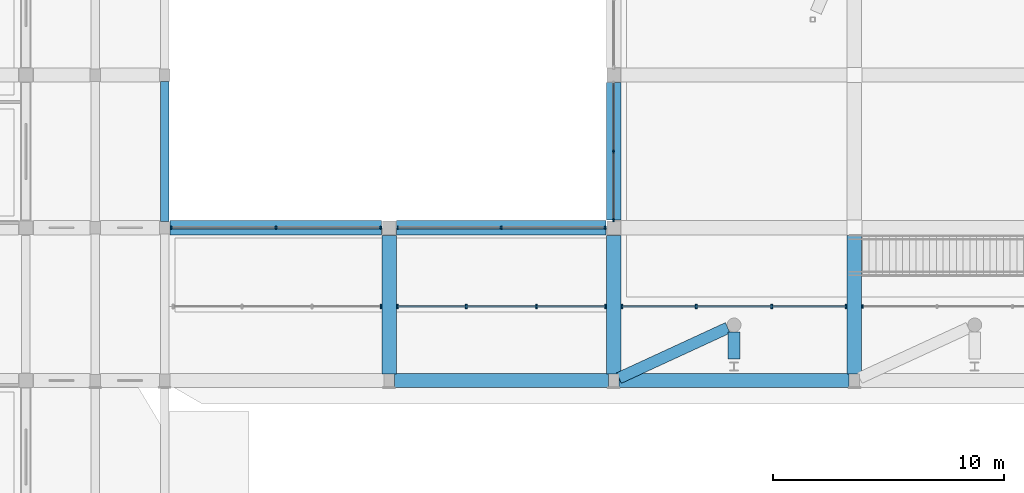
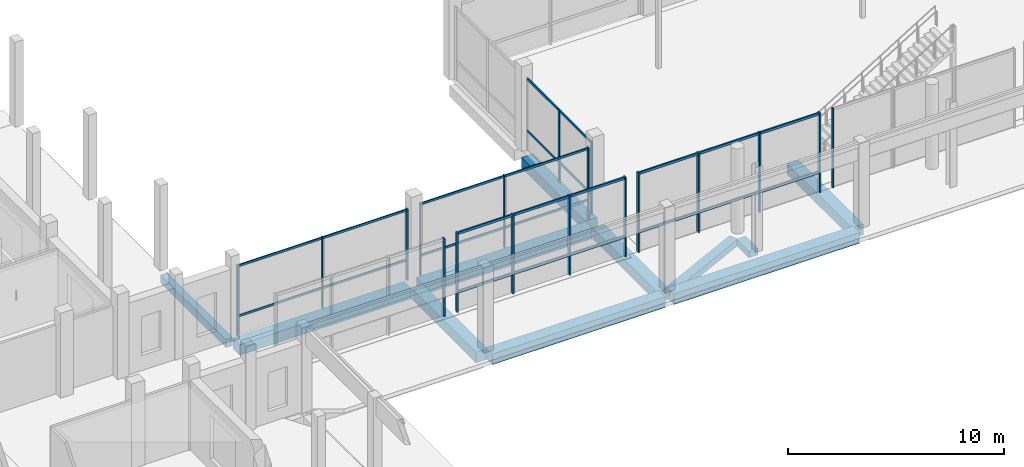
# One storey, part 24 of 88: 28 members, 11 beams, 7 elements without a shape of their own.
"""IFC4 building model written with IfcOpenShell, lengths in metres."""

import ifcopenshell
import ifcopenshell.guid

model = None  # the IFC model being written
_history = None  # IfcOwnerHistory: only IFC2X3 demands one
_inside = {}  # id of a spatial element -> (the spatial element, [elements in it])
_under = {}  # id of a project, library or spatial element -> (it, [spatial elements below it])
_declared = {}  # id of a project -> (the project, [libraries it declares])
_typed = {}  # id of a type object -> (the type object, [elements of that type])
_made_of = {}  # id of a material, layer set ... -> (it, [elements and type objects made of it])


def new_model(schema):
    """Start an empty IFC model of exactly this schema.

    Asked for "IFC4X3", IfcOpenShell would pick the latest addendum, in which some entities
    have other attributes; the version numbers below select the first issue.
    IFC2X3 requires an IfcOwnerHistory on every rooted entity: one is made here for all.
    """
    global model, _history
    if schema == "IFC4X3":
        model = ifcopenshell.file(schema_version=(4, 3, 0, 0))
    else:
        model = ifcopenshell.file(schema=schema)
    _inside.clear()
    _under.clear()
    _declared.clear()
    _typed.clear()
    _made_of.clear()
    _history = None
    if model.schema == "IFC2X3":
        org = make("IfcOrganization", Name="unknown")
        user = make(
            "IfcPersonAndOrganization",
            ThePerson=make("IfcPerson", FamilyName="unknown"),
            TheOrganization=org,
        )
        app = make(
            "IfcApplication",
            ApplicationDeveloper=org,
            Version="unknown",
            ApplicationFullName="unknown",
            ApplicationIdentifier="unknown",
        )
        _history = make(
            "IfcOwnerHistory",
            OwningUser=user,
            OwningApplication=app,
            ChangeAction="ADDED",
            CreationDate=0,
        )
    return model


def make(cls, **values):
    """One entity of the class cls with the attributes given. An attribute that is None is left unset."""
    return model.create_entity(
        cls, **{name: value for name, value in values.items() if value is not None}
    )


def rooted(cls, **values):
    """An entity with a GlobalId (a new one), such as an element, a storey or a relation."""
    return make(cls, GlobalId=ifcopenshell.guid.new(), OwnerHistory=_history, **values)


def si_unit(unit_type, name, prefix=None):
    """IfcSIUnit, for example si_unit("LENGTHUNIT", "METRE", prefix="MILLI")."""
    return make("IfcSIUnit", UnitType=unit_type, Prefix=prefix, Name=name)


def derived_unit(unit_type, elements):
    """IfcDerivedUnit: a product of units, each with its exponent."""
    return make(
        "IfcDerivedUnit",
        Elements=[
            make("IfcDerivedUnitElement", Unit=unit, Exponent=power)
            for unit, power in elements
        ],
        UnitType=unit_type,
    )


def assignment(units):
    """IfcUnitAssignment: the units of a project."""
    return None if units is None else make("IfcUnitAssignment", Units=units)


def point(xyz):
    """IfcCartesianPoint."""
    return None if xyz is None else make("IfcCartesianPoint", Coordinates=xyz)


def direction(xyz):
    """IfcDirection."""
    return None if xyz is None else make("IfcDirection", DirectionRatios=xyz)


def frame(location, z_axis=None, x_axis=None):
    """IfcAxis2Placement3D, a coordinate frame: its origin and axes. An axis left out is left unset."""
    return make(
        "IfcAxis2Placement3D",
        Location=point(location),
        Axis=direction(z_axis),
        RefDirection=direction(x_axis),
    )


def frame_2d(location, x_axis=None):
    """IfcAxis2Placement2D, a coordinate frame in the plane: its origin and x axis."""
    return make(
        "IfcAxis2Placement2D", Location=point(location), RefDirection=direction(x_axis)
    )


def origin():
    """The frame at (0, 0, 0) with its axes left unset."""
    return frame((0.0, 0.0, 0.0))


def origin_2d():
    """The frame at (0, 0) in the plane with its x axis left unset."""
    return frame_2d((0.0, 0.0))


def place(relative_to, where):
    """IfcLocalPlacement: puts the frame where relative to a parent placement (None: the world)."""
    return make(
        "IfcLocalPlacement", PlacementRelTo=relative_to, RelativePlacement=where
    )


def context(
    kind, dimensions, precision=None, world=None, true_north=None, identifier=None
):
    """IfcGeometricRepresentationContext, for example the 3D "Model" context."""
    return make(
        "IfcGeometricRepresentationContext",
        ContextIdentifier=identifier,
        ContextType=kind,
        CoordinateSpaceDimension=dimensions,
        Precision=precision,
        WorldCoordinateSystem=world,
        TrueNorth=true_north,
    )


def subcontext(parent, identifier, kind, view, scale=None):
    """IfcGeometricRepresentationSubContext, for example "Body" below "Model"."""
    return make(
        "IfcGeometricRepresentationSubContext",
        ContextIdentifier=identifier,
        ContextType=kind,
        ParentContext=parent,
        TargetScale=scale,
        TargetView=view,
    )


def project(units=None, contexts=None):
    """IfcProject with its units and contexts."""
    return rooted(
        "IfcProject",
        Name="project",
        RepresentationContexts=contexts,
        UnitsInContext=assignment(units),
    )


def spatial(cls, under=None, at=None, **own):
    """A site, building, storey or space (cls), placed at a placement, below another one or the project."""
    s = rooted(cls, ObjectPlacement=at, **own)
    if under is not None:
        _under.setdefault(under.id(), (under, []))[1].append(s)
    return s


def profile(cls, at=None, kind="AREA", **sizes):
    """A parametric profile (cls). Its sizes go by their IFC names, for example OverallWidth=200.0."""
    return make(cls, ProfileType=kind, Position=at, **sizes)


def rectangle(**sizes):
    """IfcRectangleProfileDef."""
    return profile("IfcRectangleProfileDef", **sizes)


def extrude(swept, where, along, depth):
    """IfcExtrudedAreaSolid: the profile swept, set in the frame where, extruded along a direction by depth."""
    return make(
        "IfcExtrudedAreaSolid",
        SweptArea=swept,
        Position=where,
        ExtrudedDirection=direction(along),
        Depth=depth,
    )


def shape(context_of_items, identifier, shape_type, items):
    """IfcShapeRepresentation: the items that make up one representation, for example the "Body"."""
    return make(
        "IfcShapeRepresentation",
        ContextOfItems=context_of_items,
        RepresentationIdentifier=identifier,
        RepresentationType=shape_type,
        Items=items,
    )


def material(Name=None, Category=None):
    """IfcMaterial."""
    return make("IfcMaterial", Name=Name, Category=Category)


def material_profile(
    of_material, cross_section, Name=None, Category=None, Priority=None
):
    """IfcMaterialProfile: a cross section and its material."""
    return make(
        "IfcMaterialProfile",
        Name=Name,
        Material=of_material,
        Profile=cross_section,
        Priority=Priority,
        Category=Category,
    )


def profile_set(profiles, Name=None, composite=None):
    """IfcMaterialProfileSet."""
    return make(
        "IfcMaterialProfileSet",
        Name=Name,
        MaterialProfiles=profiles,
        CompositeProfile=composite,
    )


def made_of(thing, what):
    """Note that an element or type object is made of a material, layer set ...; save() writes the relation."""
    if what is not None:
        _made_of.setdefault(what.id(), (what, []))[1].append(thing)
    return thing


def type_object(cls, material=None, **own):
    """A type object (cls), such as IfcWallType, which elements share."""
    return made_of(rooted(cls, **own), material)


def element(
    cls,
    number,
    at=None,
    inside=None,
    cuts=None,
    type_object=None,
    material=None,
    context=None,
    identifier="Body",
    shape_type=None,
    held_by="IfcProductDefinitionShape",
    body=None,
    shapes=None,
    **own,
):
    """One element of the class cls, such as IfcWall. Its Tag is "e" and its number.

    at: its placement. inside: the storey or other place that contains it. cuts: it is an
    opening in that element (IfcRelVoidsElement). A single representation is given by context,
    identifier, shape_type and body (its items); several are given by shapes. held_by: the class
    of the entity that holds the representations. save() writes the other relations.
    """
    e = rooted(cls, Tag="e%d" % number, ObjectPlacement=at, **own)
    if body is not None:
        shapes = [shape(context, identifier, shape_type, body)]
    if shapes is not None:
        e.Representation = make(held_by, Representations=shapes)
    if inside is not None:
        _inside.setdefault(inside.id(), (inside, []))[1].append(e)
    if cuts is not None:
        rooted(
            "IfcRelVoidsElement", RelatingBuildingElement=cuts, RelatedOpeningElement=e
        )
    if type_object is not None:
        _typed.setdefault(type_object.id(), (type_object, []))[1].append(e)
    return made_of(e, material)


def aggregate(whole, parts):
    """IfcRelAggregates: a whole, such as a stair, and the parts it consists of."""
    return rooted("IfcRelAggregates", RelatingObject=whole, RelatedObjects=parts)


def save(model, path):
    """Write the relations noted so far, then the file.

    IfcRelAggregates (storeys below a building ...), IfcRelContainedInSpatialStructure (elements
    in a storey), IfcRelDefinesByType, IfcRelAssociatesMaterial and IfcRelDeclares: one each for
    every whole, place, type object, material and project.
    """
    for whole, parts in _under.values():
        aggregate(whole, parts)
    for where, things in _inside.values():
        rooted(
            "IfcRelContainedInSpatialStructure",
            RelatedElements=things,
            RelatingStructure=where,
        )
    for kind, things in _typed.values():
        rooted("IfcRelDefinesByType", RelatedObjects=things, RelatingType=kind)
    for what, things in _made_of.values():
        rooted("IfcRelAssociatesMaterial", RelatedObjects=things, RelatingMaterial=what)
    for by, libraries in _declared.values():
        rooted("IfcRelDeclares", RelatingContext=by, RelatedDefinitions=libraries)
    model.write(path)


model = new_model("IFC4")

# Units and contexts
model_context = context("Model", 3, precision=1e-05, world=origin(), true_north=direction((0.0, 1.0)))
body_context = subcontext(model_context, "Body", "Model", "MODEL_VIEW")
ifc_project = project(units=[si_unit("LENGTHUNIT", "METRE"), si_unit("AREAUNIT", "SQUARE_METRE"), si_unit("VOLUMEUNIT", "CUBIC_METRE"), si_unit("PLANEANGLEUNIT", "RADIAN"), si_unit("MASSUNIT", "GRAM", prefix="KILO"), derived_unit("THERMALTRANSMITTANCEUNIT", [(si_unit("POWERUNIT", "WATT"), 1), (si_unit("LENGTHUNIT", "METRE"), -2), (si_unit("THERMODYNAMICTEMPERATUREUNIT", "KELVIN"), -1)])], contexts=[model_context])

# Site, building, storey
site_placement = place(None, origin())
site = spatial("IfcSite", under=ifc_project, at=site_placement, CompositionType="ELEMENT")
building_placement = place(site_placement, origin())
building = spatial("IfcBuilding", under=site, at=building_placement, Name="Braskholm Square Health Centre", CompositionType="ELEMENT")
storey_placement = place(building_placement, origin())
storey = spatial("IfcBuildingStorey", under=building, at=storey_placement, Name="L01", CompositionType="ELEMENT", Elevation=0.0)

# Curtain wall, members
ifc_material_1 = material(Name="Low-E triple insulating glass (VLT 0.64)", Category="glass")
curtain_wall_type_1 = type_object("IfcCurtainWallType", Name="UnitisedCurtainWall6200x4100", PredefinedType="NOTDEFINED", material=ifc_material_1)
curtain_wall_1_placement = place(storey_placement, origin())
curtain_wall_1 = element("IfcCurtainWall", 1, at=curtain_wall_1_placement, inside=storey, type_object=curtain_wall_type_1, Name="Portal North L01 unitised curtain wall CW-L01-0174", PredefinedType="NOTDEFINED")
ifc_material_2 = material(Name="Architectural bronze anodised aluminium", Category="aluminium")
ifc_material_profile_1 = material_profile(ifc_material_2, rectangle(XDim=0.06494140625, YDim=0.14990234375, at=origin_2d()), Name="ALU-65X150")
ifc_profile_set_1 = profile_set([ifc_material_profile_1], Name="Architectural bronze anodised aluminium")
member_type_1 = type_object("IfcMemberType", Name="CurtainWallMullion65x150", PredefinedType="MULLION", material=ifc_profile_set_1)
member_1_placement = place(storey_placement, frame((37.54296875, 93.800048828125, 0.0), z_axis=(0.0, 0.0, 1.0), x_axis=(1.0, 0.0, 0.0)))
member_1 = element("IfcMember", 2, at=member_1_placement, type_object=member_type_1, Name="CW-L01-0174 vertical mullion 1", PredefinedType="MULLION", context=body_context, shape_type="SweptSolid", body=[
    extrude(rectangle(XDim=0.06494140625, YDim=0.14990234375, at=origin_2d()), origin(), (0.0, 0.0, 1.0), 4.02001953125),
])
member_2_placement = place(storey_placement, frame((33.010009765625, 93.800048828125, 0.0), z_axis=(0.0, 0.0, 1.0), x_axis=(1.0, 0.0, 0.0)))
member_2 = element("IfcMember", 3, at=member_2_placement, type_object=member_type_1, Name="CW-L01-0174 vertical mullion 2", PredefinedType="MULLION", context=body_context, shape_type="SweptSolid", body=[
    extrude(rectangle(XDim=0.06494140625, YDim=0.14990234375, at=origin_2d()), origin(), (0.0, 0.0, 1.0), 4.02001953125),
])
member_3_placement = place(storey_placement, frame((28.47705078125, 93.800048828125, 0.0), z_axis=(0.0, 0.0, 1.0), x_axis=(1.0, 0.0, 0.0)))
member_3 = element("IfcMember", 4, at=member_3_placement, type_object=member_type_1, Name="CW-L01-0174 vertical mullion 3", PredefinedType="MULLION", context=body_context, shape_type="SweptSolid", body=[
    extrude(rectangle(XDim=0.06494140625, YDim=0.14990234375, at=origin_2d()), origin(), (0.0, 0.0, 1.0), 4.02001953125),
])

curtain_wall_2_placement = place(storey_placement, origin())
curtain_wall_2 = element("IfcCurtainWall", 5, at=curtain_wall_2_placement, inside=storey, type_object=curtain_wall_type_1, Name="Portal North L01 unitised curtain wall CW-L01-0180", PredefinedType="NOTDEFINED")
member_4_placement = place(storey_placement, frame((47.243408203125, 93.800048828125, 0.0), z_axis=(0.0, 0.0, 1.0), x_axis=(1.0, 0.0, 0.0)))
member_4 = element("IfcMember", 6, at=member_4_placement, type_object=member_type_1, Name="CW-L01-0180 vertical mullion 1", PredefinedType="MULLION", context=body_context, shape_type="SweptSolid", body=[
    extrude(rectangle(XDim=0.06494140625, YDim=0.14990234375, at=origin_2d()), origin(), (0.0, 0.0, 1.0), 4.10009765625),
])
member_5_placement = place(storey_placement, frame((42.75, 93.800048828125, 0.0), z_axis=(0.0, 0.0, 1.0), x_axis=(1.0, 0.0, 0.0)))
member_5 = element("IfcMember", 7, at=member_5_placement, type_object=member_type_1, Name="CW-L01-0180 vertical mullion 2", PredefinedType="MULLION", context=body_context, shape_type="SweptSolid", body=[
    extrude(rectangle(XDim=0.06494140625, YDim=0.14990234375, at=origin_2d()), origin(), (0.0, 0.0, 1.0), 4.10009765625),
])
member_6_placement = place(storey_placement, frame((38.256591796875, 93.800048828125, 0.0), z_axis=(0.0, 0.0, 1.0), x_axis=(1.0, 0.0, 0.0)))
member_6 = element("IfcMember", 8, at=member_6_placement, type_object=member_type_1, Name="CW-L01-0180 vertical mullion 3", PredefinedType="MULLION", context=body_context, shape_type="SweptSolid", body=[
    extrude(rectangle(XDim=0.06494140625, YDim=0.14990234375, at=origin_2d()), origin(), (0.0, 0.0, 1.0), 4.10009765625),
])

# Curtain wall, member
curtain_wall_type_2 = type_object("IfcCurtainWallType", Name="UnitisedCurtainWall6200x4400", PredefinedType="NOTDEFINED", material=ifc_material_1)
curtain_wall_3_placement = place(storey_placement, origin())
curtain_wall_3 = element("IfcCurtainWall", 9, at=curtain_wall_3_placement, inside=storey, type_object=curtain_wall_type_2, Name="Hall Arcade unitised curtain wall CW-L01-0186", PredefinedType="NOTDEFINED")
member_7_placement = place(storey_placement, frame((58.35888671875, 90.39990234375, 0.0), z_axis=(0.0, 0.0, 1.0), x_axis=(1.0, 0.0, 0.0)))
member_7 = element("IfcMember", 10, at=member_7_placement, type_object=member_type_1, Name="CW-L01-0186 vertical mullion 1", PredefinedType="MULLION", context=body_context, shape_type="SweptSolid", body=[
    extrude(rectangle(XDim=0.06494140625, YDim=0.14990234375, at=origin_2d()), origin(), (0.0, 0.0, 1.0), 4.5),
])
aggregate(curtain_wall_3, [member_7])

# Curtain wall, members
curtain_wall_4_placement = place(storey_placement, origin())
curtain_wall_4 = element("IfcCurtainWall", 11, at=curtain_wall_4_placement, inside=storey, type_object=curtain_wall_type_1, Name="Hall Cheek L01 unitised curtain wall CW-L01-0218", PredefinedType="NOTDEFINED")
member_8_placement = place(storey_placement, frame((47.60009765625, 97.10009765625, 0.0), z_axis=(0.0, 0.0, 1.0), x_axis=(1.0, 0.0, 0.0)))
member_8 = element("IfcMember", 12, at=member_8_placement, type_object=member_type_1, Name="CW-L01-0218 vertical mullion 2", PredefinedType="MULLION", context=body_context, shape_type="SweptSolid", body=[
    extrude(rectangle(XDim=0.06494140625, YDim=0.14990234375, at=origin_2d()), origin(), (0.0, 0.0, 1.0), 4.1201171875),
])
member_9_placement = place(storey_placement, frame((47.60009765625, 94.135986328125, 0.0), z_axis=(0.0, 0.0, 1.0), x_axis=(1.0, 0.0, 0.0)))
member_9 = element("IfcMember", 13, at=member_9_placement, type_object=member_type_1, Name="CW-L01-0218 vertical mullion 3", PredefinedType="MULLION", context=body_context, shape_type="SweptSolid", body=[
    extrude(rectangle(XDim=0.06494140625, YDim=0.14990234375, at=origin_2d()), origin(), (0.0, 0.0, 1.0), 4.1201171875),
])

# Curtain wall, member
curtain_wall_5_placement = place(storey_placement, origin())
curtain_wall_5 = element("IfcCurtainWall", 14, at=curtain_wall_5_placement, inside=storey, type_object=curtain_wall_type_2, Name="Hall Arcade unitised curtain wall CW-L01-0171", PredefinedType="NOTDEFINED")
ifc_material_profile_2 = material_profile(ifc_material_2, rectangle(XDim=0.074951171875, YDim=0.179931640625, at=origin_2d()), Name="ALU-75X180")
ifc_profile_set_2 = profile_set([ifc_material_profile_2], Name="Architectural bronze anodised aluminium")
member_type_2 = type_object("IfcMemberType", Name="CurtainWallMullion75x180", PredefinedType="MULLION", material=ifc_profile_set_2)
member_10_placement = place(storey_placement, frame((37.54541015625, 90.39990234375, 0.0), z_axis=(0.0, 0.0, 1.0), x_axis=(1.0, 0.0, 0.0)))
member_10 = element("IfcMember", 15, at=member_10_placement, type_object=member_type_2, Name="CW-L01-0171 vertical mullion 4", PredefinedType="MULLION", context=body_context, shape_type="SweptSolid", body=[
    extrude(rectangle(XDim=0.074951171875, YDim=0.179931640625, at=origin_2d()), origin(), (0.0, 0.0, 1.0), 4.419921875),
])
aggregate(curtain_wall_5, [member_10])

# Curtain wall, members
curtain_wall_6_placement = place(storey_placement, origin())
curtain_wall_6 = element("IfcCurtainWall", 16, at=curtain_wall_6_placement, inside=storey, type_object=curtain_wall_type_2, Name="Hall Arcade unitised curtain wall CW-L01-0177", PredefinedType="NOTDEFINED")
member_11_placement = place(storey_placement, frame((38.254638671875, 90.39990234375, 0.0), z_axis=(0.0, 0.0, 1.0), x_axis=(1.0, 0.0, 0.0)))
member_11 = element("IfcMember", 17, at=member_11_placement, type_object=member_type_2, Name="CW-L01-0177 vertical mullion 1", PredefinedType="MULLION", context=body_context, shape_type="SweptSolid", body=[
    extrude(rectangle(XDim=0.074951171875, YDim=0.179931640625, at=origin_2d()), origin(), (0.0, 0.0, 1.0), 4.5),
])
member_12_placement = place(storey_placement, frame((41.2333984375, 90.39990234375, 0.0), z_axis=(0.0, 0.0, 1.0), x_axis=(1.0, 0.0, 0.0)))
member_12 = element("IfcMember", 18, at=member_12_placement, type_object=member_type_2, Name="CW-L01-0177 vertical mullion 2", PredefinedType="MULLION", context=body_context, shape_type="SweptSolid", body=[
    extrude(rectangle(XDim=0.074951171875, YDim=0.179931640625, at=origin_2d()), origin(), (0.0, 0.0, 1.0), 4.5),
])
member_13_placement = place(storey_placement, frame((44.2666015625, 90.39990234375, 0.0), z_axis=(0.0, 0.0, 1.0), x_axis=(1.0, 0.0, 0.0)))
member_13 = element("IfcMember", 19, at=member_13_placement, type_object=member_type_2, Name="CW-L01-0177 vertical mullion 3", PredefinedType="MULLION", context=body_context, shape_type="SweptSolid", body=[
    extrude(rectangle(XDim=0.074951171875, YDim=0.179931640625, at=origin_2d()), origin(), (0.0, 0.0, 1.0), 4.5),
])
member_14_placement = place(storey_placement, frame((47.245361328125, 90.39990234375, 0.0), z_axis=(0.0, 0.0, 1.0), x_axis=(1.0, 0.0, 0.0)))
member_14 = element("IfcMember", 20, at=member_14_placement, type_object=member_type_2, Name="CW-L01-0177 vertical mullion 4", PredefinedType="MULLION", context=body_context, shape_type="SweptSolid", body=[
    extrude(rectangle(XDim=0.074951171875, YDim=0.179931640625, at=origin_2d()), origin(), (0.0, 0.0, 1.0), 4.5),
])

curtain_wall_7_placement = place(storey_placement, origin())
curtain_wall_7 = element("IfcCurtainWall", 21, at=curtain_wall_7_placement, inside=storey, type_object=curtain_wall_type_2, Name="Hall Arcade unitised curtain wall CW-L01-0183", PredefinedType="NOTDEFINED")
member_15_placement = place(storey_placement, frame((47.958740234375, 90.39990234375, 0.0), z_axis=(0.0, 0.0, 1.0), x_axis=(1.0, 0.0, 0.0)))
member_15 = element("IfcMember", 22, at=member_15_placement, type_object=member_type_2, Name="CW-L01-0183 vertical mullion 1", PredefinedType="MULLION", context=body_context, shape_type="SweptSolid", body=[
    extrude(rectangle(XDim=0.074951171875, YDim=0.179931640625, at=origin_2d()), origin(), (0.0, 0.0, 1.0), 4.5),
])
member_16_placement = place(storey_placement, frame((51.166748046875, 90.39990234375, 0.0), z_axis=(0.0, 0.0, 1.0), x_axis=(1.0, 0.0, 0.0)))
member_16 = element("IfcMember", 23, at=member_16_placement, type_object=member_type_2, Name="CW-L01-0183 vertical mullion 2", PredefinedType="MULLION", context=body_context, shape_type="SweptSolid", body=[
    extrude(rectangle(XDim=0.074951171875, YDim=0.179931640625, at=origin_2d()), origin(), (0.0, 0.0, 1.0), 4.5),
])
member_17_placement = place(storey_placement, frame((54.433349609375, 90.39990234375, 0.0), z_axis=(0.0, 0.0, 1.0), x_axis=(1.0, 0.0, 0.0)))
member_17 = element("IfcMember", 24, at=member_17_placement, type_object=member_type_2, Name="CW-L01-0183 vertical mullion 3", PredefinedType="MULLION", context=body_context, shape_type="SweptSolid", body=[
    extrude(rectangle(XDim=0.074951171875, YDim=0.179931640625, at=origin_2d()), origin(), (0.0, 0.0, 1.0), 4.5),
])
member_18_placement = place(storey_placement, frame((57.64111328125, 90.39990234375, 0.0), z_axis=(0.0, 0.0, 1.0), x_axis=(1.0, 0.0, 0.0)))
member_18 = element("IfcMember", 25, at=member_18_placement, type_object=member_type_2, Name="CW-L01-0183 vertical mullion 4", PredefinedType="MULLION", context=body_context, shape_type="SweptSolid", body=[
    extrude(rectangle(XDim=0.074951171875, YDim=0.179931640625, at=origin_2d()), origin(), (0.0, 0.0, 1.0), 4.5),
])

# Member
ifc_material_profile_3 = material_profile(ifc_material_2, rectangle(XDim=0.06494140625, YDim=0.1201171875, at=origin_2d()), Name="ALU-65X120")
ifc_profile_set_3 = profile_set([ifc_material_profile_3], Name="Architectural bronze anodised aluminium")
member_type_3 = type_object("IfcMemberType", Name="CurtainWallTransom65x120", PredefinedType="USERDEFINED", material=ifc_profile_set_3)
member_19_placement = place(storey_placement, frame((37.552978515625, 93.800048828125, 1.1201171875), z_axis=(-1.0, 0.0, 0.0), x_axis=(0.0, -1.0, 0.0)))
member_19 = element("IfcMember", 26, at=member_19_placement, type_object=member_type_3, Name="CW-L01-0174 horizontal transom 1", ObjectType="TRANSOM", PredefinedType="USERDEFINED", context=body_context, shape_type="SweptSolid", body=[
    extrude(rectangle(XDim=0.06494140625, YDim=0.1201171875, at=origin_2d()), origin(), (0.0, 0.0, 1.0), 9.0859375),
])

member_20_placement = place(storey_placement, frame((37.552978515625, 93.800048828125, 3.949951171875), z_axis=(-1.0, 0.0, 0.0), x_axis=(0.0, -1.0, 0.0)))
member_20 = element("IfcMember", 27, at=member_20_placement, type_object=member_type_3, Name="CW-L01-0174 horizontal transom 2", ObjectType="TRANSOM", PredefinedType="USERDEFINED", context=body_context, shape_type="SweptSolid", body=[
    extrude(rectangle(XDim=0.06494140625, YDim=0.1201171875, at=origin_2d()), origin(), (0.0, 0.0, 1.0), 9.0859375),
])

aggregate(curtain_wall_1, [member_1, member_2, member_3, member_19, member_20])

member_21_placement = place(storey_placement, frame((47.2529296875, 93.800048828125, 1.1201171875), z_axis=(-1.0, 0.0, 0.0), x_axis=(0.0, -1.0, 0.0)))
member_21 = element("IfcMember", 28, at=member_21_placement, type_object=member_type_3, Name="CW-L01-0180 horizontal transom 1", ObjectType="TRANSOM", PredefinedType="USERDEFINED", context=body_context, shape_type="SweptSolid", body=[
    extrude(rectangle(XDim=0.06494140625, YDim=0.1201171875, at=origin_2d()), origin(), (0.0, 0.0, 1.0), 9.005859375),
])

member_22_placement = place(storey_placement, frame((47.2529296875, 93.800048828125, 4.030029296875), z_axis=(-1.0, 0.0, 0.0), x_axis=(0.0, -1.0, 0.0)))
member_22 = element("IfcMember", 29, at=member_22_placement, type_object=member_type_3, Name="CW-L01-0180 horizontal transom 2", ObjectType="TRANSOM", PredefinedType="USERDEFINED", context=body_context, shape_type="SweptSolid", body=[
    extrude(rectangle(XDim=0.06494140625, YDim=0.1201171875, at=origin_2d()), origin(), (0.0, 0.0, 1.0), 9.005859375),
])

aggregate(curtain_wall_2, [member_4, member_5, member_6, member_21, member_22])

member_23_placement = place(storey_placement, frame((47.60009765625, 100.054931640625, 1.1201171875), z_axis=(0.0, -1.0, 0.0), x_axis=(1.0, 0.0, 0.0)))
member_23 = element("IfcMember", 30, at=member_23_placement, type_object=member_type_3, Name="CW-L01-0218 horizontal transom 1", ObjectType="TRANSOM", PredefinedType="USERDEFINED", context=body_context, shape_type="SweptSolid", body=[
    extrude(rectangle(XDim=0.06494140625, YDim=0.1201171875, at=origin_2d()), origin(), (0.0, 0.0, 1.0), 5.909912109375),
])

member_24_placement = place(storey_placement, frame((47.60009765625, 100.054931640625, 4.050048828125), z_axis=(0.0, -1.0, 0.0), x_axis=(1.0, 0.0, 0.0)))
member_24 = element("IfcMember", 31, at=member_24_placement, type_object=member_type_3, Name="CW-L01-0218 horizontal transom 2", ObjectType="TRANSOM", PredefinedType="USERDEFINED", context=body_context, shape_type="SweptSolid", body=[
    extrude(rectangle(XDim=0.06494140625, YDim=0.1201171875, at=origin_2d()), origin(), (0.0, 0.0, 1.0), 5.909912109375),
])

aggregate(curtain_wall_4, [member_8, member_9, member_23, member_24])

ifc_material_profile_4 = material_profile(ifc_material_2, rectangle(XDim=0.074951171875, YDim=0.139892578125, at=origin_2d()), Name="ALU-75X140")
ifc_profile_set_4 = profile_set([ifc_material_profile_4], Name="Architectural bronze anodised aluminium")
member_type_4 = type_object("IfcMemberType", Name="CurtainWallTransom75x140", PredefinedType="USERDEFINED", material=ifc_profile_set_4)
member_25_placement = place(storey_placement, frame((38.2451171875, 90.39990234375, 1.1201171875), z_axis=(1.0, 0.0, 0.0), x_axis=(0.0, 1.0, 0.0)))
member_25 = element("IfcMember", 32, at=member_25_placement, type_object=member_type_4, Name="CW-L01-0177 horizontal transom 1", ObjectType="TRANSOM", PredefinedType="USERDEFINED", context=body_context, shape_type="SweptSolid", body=[
    extrude(rectangle(XDim=0.074951171875, YDim=0.139892578125, at=origin_2d()), origin(), (0.0, 0.0, 1.0), 9.009765625),
])

member_26_placement = place(storey_placement, frame((38.2451171875, 90.39990234375, 4.429931640625), z_axis=(1.0, 0.0, 0.0), x_axis=(0.0, 1.0, 0.0)))
member_26 = element("IfcMember", 33, at=member_26_placement, type_object=member_type_4, Name="CW-L01-0177 horizontal transom 2", ObjectType="TRANSOM", PredefinedType="USERDEFINED", context=body_context, shape_type="SweptSolid", body=[
    extrude(rectangle(XDim=0.074951171875, YDim=0.139892578125, at=origin_2d()), origin(), (0.0, 0.0, 1.0), 9.009765625),
])

aggregate(curtain_wall_6, [member_11, member_12, member_13, member_14, member_25, member_26])

member_27_placement = place(storey_placement, frame((47.945068359375, 90.39990234375, 1.1201171875), z_axis=(1.0, 0.0, 0.0), x_axis=(0.0, 1.0, 0.0)))
member_27 = element("IfcMember", 34, at=member_27_placement, type_object=member_type_4, Name="CW-L01-0183 horizontal transom 1", ObjectType="TRANSOM", PredefinedType="USERDEFINED", context=body_context, shape_type="SweptSolid", body=[
    extrude(rectangle(XDim=0.074951171875, YDim=0.139892578125, at=origin_2d()), origin(), (0.0, 0.0, 1.0), 9.7099609375),
])

member_28_placement = place(storey_placement, frame((47.945068359375, 90.39990234375, 4.429931640625), z_axis=(1.0, 0.0, 0.0), x_axis=(0.0, 1.0, 0.0)))
member_28 = element("IfcMember", 35, at=member_28_placement, type_object=member_type_4, Name="CW-L01-0183 horizontal transom 2", ObjectType="TRANSOM", PredefinedType="USERDEFINED", context=body_context, shape_type="SweptSolid", body=[
    extrude(rectangle(XDim=0.074951171875, YDim=0.139892578125, at=origin_2d()), origin(), (0.0, 0.0, 1.0), 9.7099609375),
])

aggregate(curtain_wall_7, [member_15, member_16, member_17, member_18, member_27, member_28])

# Beams
ifc_material_3 = material(Name="Concrete C35/45 (f'c = 35 MPa)", Category="concrete")
ifc_material_profile_5 = material_profile(ifc_material_3, rectangle(XDim=0.5, YDim=0.360107421875, at=origin_2d()), Name="RCB-500X360")
ifc_profile_set_5 = profile_set([ifc_material_profile_5], Name="Concrete C35/45 (f'c = 35 MPa)")
beam_type_1 = type_object("IfcBeamType", Name="PrimaryBandBeam500x360", PredefinedType="BEAM", material=ifc_profile_set_5)
beam_1_placement = place(storey_placement, frame((52.529296875, 89.47509765625, -0.405029296875), z_axis=(-0.907966284726, -0.419043226649, 0.0), x_axis=(0.419043226649, -0.907966284726, 0.0)))
element("IfcBeam", 36, at=beam_1_placement, inside=storey, type_object=beam_type_1, Name="Tie beam RC01 L01", PredefinedType="BEAM", context=body_context, shape_type="SweptSolid", body=[
    extrude(rectangle(XDim=0.5, YDim=0.360107421875, at=origin_2d()), origin(), (0.0, 0.0, 1.0), 5.177734375),
])
beam_2_placement = place(storey_placement, frame((52.800048828125, 88.123046875, -0.405029296875), z_axis=(0.0, 1.0, 0.0), x_axis=(-1.0, 0.0, 0.0)))
element("IfcBeam", 37, at=beam_2_placement, inside=storey, type_object=beam_type_1, Name="Tie beam CS1A L01", PredefinedType="BEAM", context=body_context, shape_type="SweptSolid", body=[
    extrude(rectangle(XDim=0.5, YDim=0.360107421875, at=origin_2d()), origin(), (0.0, 0.0, 1.0), 1.178955078125),
])
ifc_material_4 = material(Name="Concrete C40/50 (f'c = 40 MPa)", Category="concrete")
ifc_material_profile_6 = material_profile(ifc_material_4, rectangle(XDim=0.6201171875, YDim=0.60009765625, at=origin_2d()), Name="RCB-620X600")
ifc_profile_set_6 = profile_set([ifc_material_profile_6], Name="Concrete C40/50 (f'c = 40 MPa)")
beam_type_2 = type_object("IfcBeamType", Name="PrimarySubstructureBeam620x600", PredefinedType="BEAM", material=ifc_profile_set_6)
for number, where, z_axis, x_axis, name in (
    (38, (37.89990234375, 87.47998046875, -0.60009765625), (0.0, 1.0, 0.0), (-1.0, 0.0, 0.0), "Beam 7/N-P L01"),
    (39, (47.60009765625, 87.47998046875, -0.60009765625), (0.0, 1.0, 0.0), (-1.0, 0.0, 0.0), "Beam 8/N-P L01"),
):
    element("IfcBeam", number, at=place(storey_placement, frame(where, z_axis=z_axis, x_axis=x_axis)), inside=storey, type_object=beam_type_2, Name=name, PredefinedType="BEAM", context=body_context, shape_type="SweptSolid", body=[
        extrude(rectangle(XDim=0.6201171875, YDim=0.60009765625, at=origin_2d()), origin(), (0.0, 0.0, 1.0), 5.9951171875),
    ])
beam_3_placement = place(storey_placement, frame((47.60009765625, 94.125, -0.60009765625), z_axis=(0.0, 1.0, 0.0), x_axis=(-1.0, 0.0, 0.0)))
element("IfcBeam", 40, at=beam_3_placement, inside=storey, type_object=beam_type_2, Name="Beam 8/P-Q L01", PredefinedType="BEAM", context=body_context, shape_type="SweptSolid", body=[
    extrude(rectangle(XDim=0.6201171875, YDim=0.60009765625, at=origin_2d()), origin(), (0.0, 0.0, 1.0), 5.949951171875),
])
beam_4_placement = place(storey_placement, frame((58.0, 87.47998046875, -0.60009765625), z_axis=(0.0, 1.0, 0.0), x_axis=(-1.0, 0.0, 0.0)))
element("IfcBeam", 41, at=beam_4_placement, inside=storey, type_object=beam_type_2, Name="Beam 9/N-P L01", PredefinedType="BEAM", context=body_context, shape_type="SweptSolid", body=[
    extrude(rectangle(XDim=0.6201171875, YDim=0.60009765625, at=origin_2d()), origin(), (0.0, 0.0, 1.0), 5.9951171875),
])
beam_5_placement = place(storey_placement, frame((38.1298828125, 87.199951171875, -0.52490234375), z_axis=(1.0, 0.0, 0.0), x_axis=(0.0, 1.0, 0.0)))
element("IfcBeam", 42, at=beam_5_placement, inside=storey, type_object=beam_type_2, Name="Beam 7-8/N L01", PredefinedType="BEAM", context=body_context, shape_type="SweptSolid", body=[
    extrude(rectangle(XDim=0.6201171875, YDim=0.60009765625, at=origin_2d()), origin(), (0.0, 0.0, 1.0), 9.240234375),
])
beam_6_placement = place(storey_placement, frame((47.830078125, 87.199951171875, -0.52490234375), z_axis=(1.0, 0.0, 0.0), x_axis=(0.0, 1.0, 0.0)))
element("IfcBeam", 43, at=beam_6_placement, inside=storey, type_object=beam_type_2, Name="Beam 8-9/N L01", PredefinedType="BEAM", context=body_context, shape_type="SweptSolid", body=[
    extrude(rectangle(XDim=0.6201171875, YDim=0.60009765625, at=origin_2d()), origin(), (0.0, 0.0, 1.0), 9.93994140625),
])
beam_7_placement = place(storey_placement, frame((28.419921875, 93.800048828125, -0.60009765625), z_axis=(1.0, 0.0, 0.0), x_axis=(0.0, 1.0, 0.0)))
element("IfcBeam", 44, at=beam_7_placement, inside=storey, type_object=beam_type_2, Name="Beam 6-7/P L01", PredefinedType="BEAM", context=body_context, shape_type="SweptSolid", body=[
    extrude(rectangle(XDim=0.6201171875, YDim=0.60009765625, at=origin_2d()), origin(), (0.0, 0.0, 1.0), 9.155029296875),
])
beam_8_placement = place(storey_placement, frame((38.22509765625, 93.800048828125, -0.60009765625), z_axis=(1.0, 0.0, 0.0), x_axis=(0.0, 1.0, 0.0)))
element("IfcBeam", 45, at=beam_8_placement, inside=storey, type_object=beam_type_2, Name="Beam 7-8/P L01", PredefinedType="BEAM", context=body_context, shape_type="SweptSolid", body=[
    extrude(rectangle(XDim=0.6201171875, YDim=0.60009765625, at=origin_2d()), origin(), (0.0, 0.0, 1.0), 9.0498046875),
])
ifc_material_5 = material(Name="Precast concrete C40/50 architectural white", Category="concrete")
ifc_material_profile_7 = material_profile(ifc_material_5, rectangle(XDim=0.360107421875, YDim=0.4599609375, at=origin_2d()), Name="RCB-360X460")
ifc_profile_set_7 = profile_set([ifc_material_profile_7], Name="Precast concrete C40/50 architectural white")
beam_type_3 = type_object("IfcBeamType", Name="SpandrelTerraceEdge360x460", PredefinedType="SPANDREL", material=ifc_profile_set_7)
beam_9_placement = place(storey_placement, frame((28.199951171875, 94.070068359375, -0.455078125), z_axis=(0.0, 1.0, 0.0), x_axis=(-1.0, 0.0, 0.0)))
element("IfcBeam", 46, at=beam_9_placement, inside=storey, type_object=beam_type_3, Name="Beam 6/P-Q L01", PredefinedType="SPANDREL", context=body_context, shape_type="SweptSolid", body=[
    extrude(rectangle(XDim=0.360107421875, YDim=0.4599609375, at=origin_2d()), origin(), (0.0, 0.0, 1.0), 6.059814453125),
])

save(model, "model.ifc")
